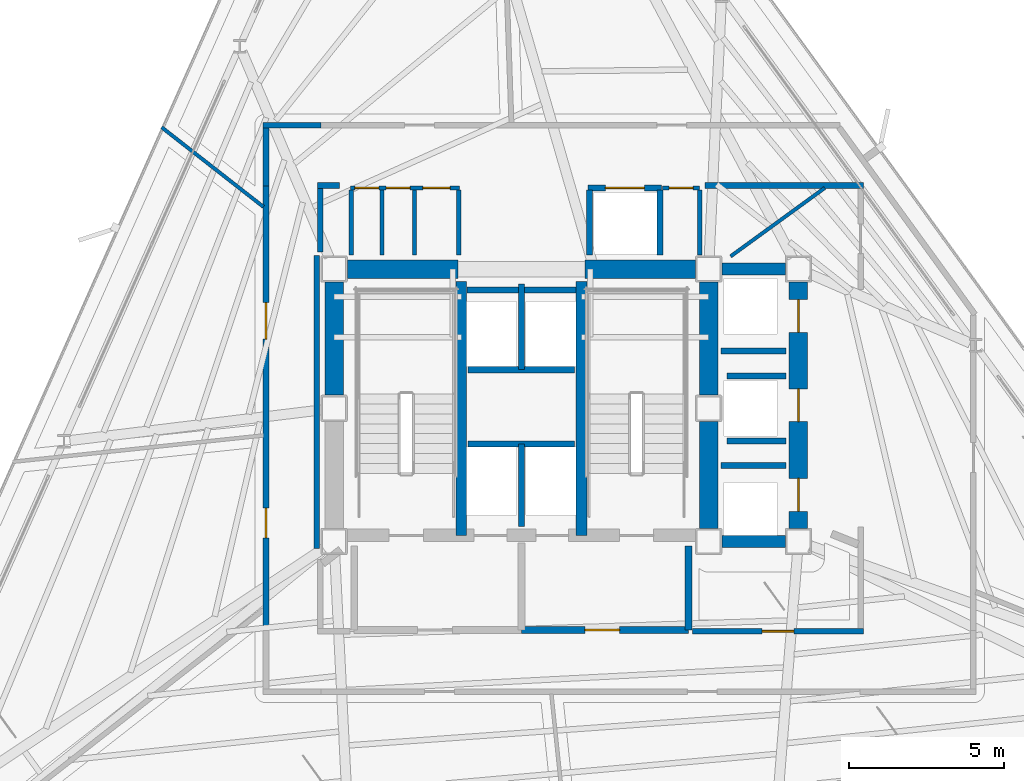
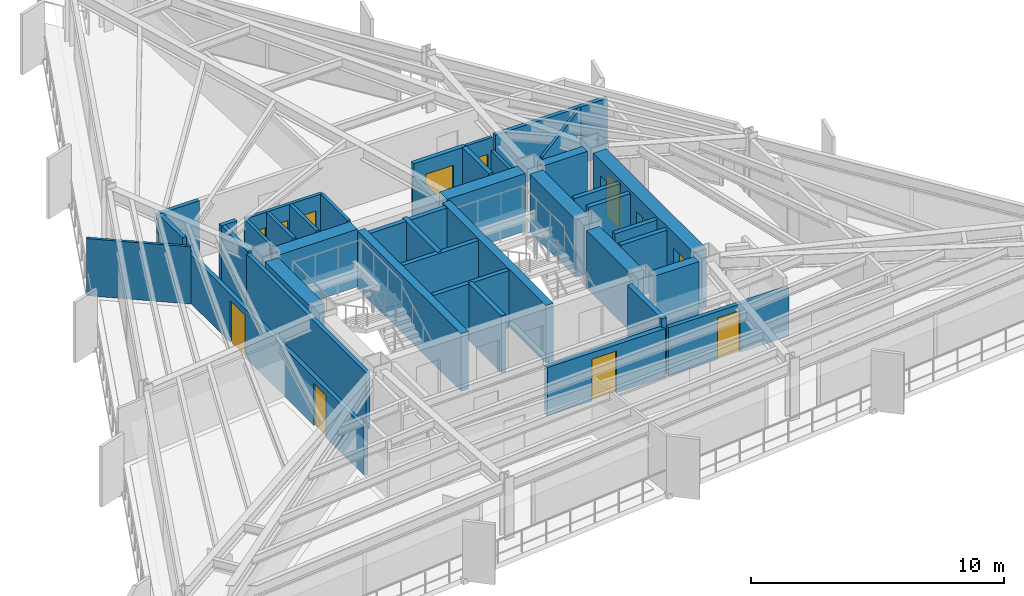
# One storey, part 8 of 12: 41 walls, 12 doors, 12 openings.
"""IFC4 building model written with IfcOpenShell, lengths in metres."""

from ifc_helpers import new_model, si_unit, direction, frame, frame_2d, origin, place, context, subcontext, project, spatial, rectangle, extrude, material, layer, layer_set, type_object, element, fill, save


model = new_model("IFC4")

# Units and contexts
model_context = context("Model", 3, precision=1e-05, world=origin(), true_north=direction((0.0, 1.0)))
body_context = subcontext(model_context, "Body", "Model", "MODEL_VIEW")
ifc_project = project(units=[si_unit("LENGTHUNIT", "METRE"), si_unit("AREAUNIT", "SQUARE_METRE"), si_unit("VOLUMEUNIT", "CUBIC_METRE"), si_unit("PLANEANGLEUNIT", "RADIAN"), si_unit("MASSUNIT", "GRAM", prefix="KILO")], contexts=[model_context])

# Site, building, storey
site_placement = place(None, origin())
site = spatial("IfcSite", under=ifc_project, at=site_placement, CompositionType="ELEMENT")
building_placement = place(site_placement, origin())
building = spatial("IfcBuilding", under=site, at=building_placement, Name="Rocaltana Carrier Exchange", CompositionType="ELEMENT")
storey_placement = place(building_placement, frame((0.0, 0.0, 107.679931640625)))
storey = spatial("IfcBuildingStorey", under=building, at=storey_placement, Name="L33", CompositionType="ELEMENT", Elevation=107.679931640625)

# Walls
ifc_material_1 = material(Name="Concrete C50/60", Category="concrete")
ifc_layer_1 = layer(ifc_material_1, 0.35009765625)
ifc_layer_set_1 = layer_set([ifc_layer_1], Name="Concrete C50/60")
wall_type_1 = type_object("IfcWallType", Name="Core Internal Shear Wall 350", PredefinedType="SHEAR", material=ifc_layer_set_1)
for number, where, z_axis, x_axis, name in (
    (1, (-1.93994140625, -4.10009765625, 0.0), (0.0, 0.0, 1.0), (0.0, 1.0, 0.0), "L33 Core Shear Wall CW-STW"),
    (2, (1.93994140625, -4.10009765625, 0.0), (0.0, 0.0, 1.0), (0.0, 1.0, 0.0), "L33 Core Shear Wall CW-STE"),
):
    element("IfcWall", number, at=place(storey_placement, frame(where, z_axis=z_axis, x_axis=x_axis)), inside=storey, type_object=wall_type_1, Name=name, PredefinedType="SHEAR", context=body_context, shape_type="SweptSolid", body=[
        extrude(rectangle(XDim=8.2001953125, YDim=0.35009765625, at=frame_2d((4.10009765625, 0.0))), origin(), (0.0, 0.0, 1.0), 2.7880859375),
    ])
ifc_material_2 = material(Name="Concrete C50/60", Category="concrete")
ifc_layer_2 = layer(ifc_material_2, 0.39990234375)
ifc_layer_set_2 = layer_set([ifc_layer_2], Name="Concrete C50/60")
wall_type_2 = type_object("IfcWallType", Name="Core Internal Shear Wall 400", PredefinedType="SHEAR", material=ifc_layer_set_2)
for number, where, z_axis, x_axis, name in (
    (3, (6.47509765625, 4.5, 0.0), (0.0, 0.0, 1.0), (1.0, 0.0, 0.0), "L33 Core Shear Wall CW-EWN"),
    (4, (6.47509765625, -4.300048828125, 0.0), (0.0, 0.0, 1.0), (1.0, 0.0, 0.0), "L33 Core Shear Wall CW-EWS"),
):
    element("IfcWall", number, at=place(storey_placement, frame(where, z_axis=z_axis, x_axis=x_axis)), inside=storey, type_object=wall_type_2, Name=name, PredefinedType="SHEAR", context=body_context, shape_type="SweptSolid", body=[
        extrude(rectangle(XDim=2.0498046875, YDim=0.39990234375, at=frame_2d((1.02490234375, 0.0))), origin(), (0.0, 0.0, 1.0), 2.7880859375),
    ])
ifc_material_3 = material(Name="Concrete C50/60", Category="concrete")
ifc_layer_3 = layer(ifc_material_3, 0.60009765625)
ifc_layer_set_3 = layer_set([ifc_layer_3], Name="Concrete C50/60")
wall_type_3 = type_object("IfcWallType", Name="Core Shear Wall 600", PredefinedType="SHEAR", material=ifc_layer_set_3)
for number, where, z_axis, x_axis, name in (
    (5, (-6.050048828125, 0.425048828125, 0.0), (0.0, 0.0, 1.0), (0.0, 1.0, 0.0), "L33 Core Shear Wall CW-WN"),
    (6, (6.050048828125, 0.425048828125, 0.0), (0.0, 0.0, 1.0), (0.0, 1.0, 0.0), "L33 Core Shear Wall CW-EN"),
):
    element("IfcWall", number, at=place(storey_placement, frame(where, z_axis=z_axis, x_axis=x_axis)), inside=storey, type_object=wall_type_3, Name=name, PredefinedType="SHEAR", context=body_context, shape_type="SweptSolid", body=[
        extrude(rectangle(XDim=3.64990234375, YDim=0.60009765625, at=frame_2d((1.824951171875, 0.0))), origin(), (0.0, 0.0, 1.0), 2.7880859375),
    ])
wall_1_placement = place(storey_placement, frame((6.050048828125, -3.875, 0.0), z_axis=(0.0, 0.0, 1.0), x_axis=(0.0, 1.0, 0.0)))
element("IfcWall", 7, at=wall_1_placement, inside=storey, type_object=wall_type_3, Name="L33 Core Shear Wall CW-ES", PredefinedType="SHEAR", context=body_context, shape_type="SweptSolid", body=[
    extrude(rectangle(XDim=3.449951171875, YDim=0.60009765625, at=frame_2d((1.72509765625, 0.0))), origin(), (0.0, 0.0, 1.0), 2.7880859375),
])
for number, where, z_axis, x_axis, name in (
    (8, (-5.625, 4.5, 0.0), (0.0, 0.0, 1.0), (1.0, 0.0, 0.0), "L33 Core Shear Wall CW-N1"),
    (9, (2.050048828125, 4.5, 0.0), (0.0, 0.0, 1.0), (1.0, 0.0, 0.0), "L33 Core Shear Wall CW-N2"),
):
    element("IfcWall", number, at=place(storey_placement, frame(where, z_axis=z_axis, x_axis=x_axis)), inside=storey, type_object=wall_type_3, Name=name, PredefinedType="SHEAR", context=body_context, shape_type="SweptSolid", body=[
        extrude(rectangle(XDim=3.574951171875, YDim=0.60009765625, at=frame_2d((1.78759765625, 0.0))), origin(), (0.0, 0.0, 1.0), 2.7880859375),
    ])

# Wall, openings, doors
wall_2_placement = place(storey_placement, frame((8.949951171875, -3.875, 0.0), z_axis=(0.0, 0.0, 1.0), x_axis=(0.0, 1.0, 0.0)))
wall_2 = element("IfcWall", 10, at=wall_2_placement, inside=storey, type_object=wall_type_3, Name="L33 Core Shear Wall CW-EW", PredefinedType="SHEAR", context=body_context, shape_type="SweptSolid", body=[
    extrude(rectangle(XDim=7.949951171875, YDim=0.60009765625, at=frame_2d((3.97509765625, 0.0))), origin(), (0.0, 0.0, 1.0), 2.7880859375),
])
opening_1_placement = place(wall_2_placement, frame((0.550048828125, 0.0, 0.0)))
opening_1 = element("IfcOpeningElement", 11, at=opening_1_placement, cuts=wall_2, Name="Opening LD-110", PredefinedType="OPENING", context=body_context, shape_type="SweptSolid", body=[
    extrude(rectangle(XDim=1.06005859375, YDim=2.0400390625, at=frame_2d((0.530029296875, 1.02001953125))), frame((0.0, 0.31005859375, 0.0), z_axis=(0.0, -1.0, 0.0), x_axis=(1.0, 0.0, 0.0)), (0.0, 0.0, 1.0), 0.6201171875),
])
opening_2_placement = place(wall_2_placement, frame((3.445068359375, 0.0, 0.0)))
opening_2 = element("IfcOpeningElement", 12, at=opening_2_placement, cuts=wall_2, Name="Opening LD-110", PredefinedType="OPENING", context=body_context, shape_type="SweptSolid", body=[
    extrude(rectangle(XDim=1.06005859375, YDim=2.0400390625, at=frame_2d((0.530029296875, 1.02001953125))), frame((0.0, 0.31005859375, 0.0), z_axis=(0.0, -1.0, 0.0), x_axis=(1.0, 0.0, 0.0)), (0.0, 0.0, 1.0), 0.6201171875),
])
opening_3_placement = place(wall_2_placement, frame((6.330078125, 0.0, 0.0)))
opening_3 = element("IfcOpeningElement", 13, at=opening_3_placement, cuts=wall_2, Name="Opening LD-110", PredefinedType="OPENING", context=body_context, shape_type="SweptSolid", body=[
    extrude(rectangle(XDim=1.06005859375, YDim=2.0400390625, at=frame_2d((0.530029296875, 1.02001953125))), frame((0.0, 0.31005859375, 0.0), z_axis=(0.0, -1.0, 0.0), x_axis=(1.0, 0.0, 0.0)), (0.0, 0.0, 1.0), 0.6201171875),
])
ifc_material_4 = material(Name="Brushed Stainless Sliding Door Leaf", Category="steel")
door_type_1 = type_object("IfcDoorType", Name="Lift Landing Sliding Door 1060x2040", OperationType="NOTDEFINED", PredefinedType="DOOR", material=ifc_material_4)
door_1_placement = place(opening_1_placement, origin())
door_1 = element("IfcDoor", 14, at=door_1_placement, inside=storey, type_object=door_type_1, Name="L33 Mid-Rise Lift PL-M1 Landing Door", OperationType="SLIDING_TO_LEFT", OverallHeight=2.0400390625, OverallWidth=1.06005859375, PredefinedType="DOOR", context=body_context, shape_type="SweptSolid", body=[
    extrude(rectangle(XDim=1.06005859375, YDim=2.0400390625, at=frame_2d((0.530029296875, 1.02001953125))), frame((0.0, 0.02490234375, 0.0), z_axis=(0.0, -1.0, 0.0), x_axis=(1.0, 0.0, 0.0)), (0.0, 0.0, 1.0), 0.050048828125),
])
fill(opening_1, door_1)
door_2_placement = place(opening_2_placement, origin())
door_2 = element("IfcDoor", 15, at=door_2_placement, inside=storey, type_object=door_type_1, Name="L33 Mid-Rise Lift PL-M2 Landing Door", OperationType="SLIDING_TO_RIGHT", OverallHeight=2.0400390625, OverallWidth=1.06005859375, PredefinedType="DOOR", context=body_context, shape_type="SweptSolid", body=[
    extrude(rectangle(XDim=1.06005859375, YDim=2.0400390625, at=frame_2d((0.530029296875, 1.02001953125))), frame((0.0, 0.02490234375, 0.0), z_axis=(0.0, -1.0, 0.0), x_axis=(1.0, 0.0, 0.0)), (0.0, 0.0, 1.0), 0.050048828125),
])
fill(opening_2, door_2)
door_3_placement = place(opening_3_placement, origin())
door_3 = element("IfcDoor", 16, at=door_3_placement, inside=storey, type_object=door_type_1, Name="L33 Mid-Rise Lift PL-M3 Landing Door", OperationType="SLIDING_TO_LEFT", OverallHeight=2.0400390625, OverallWidth=1.06005859375, PredefinedType="DOOR", context=body_context, shape_type="SweptSolid", body=[
    extrude(rectangle(XDim=1.06005859375, YDim=2.0400390625, at=frame_2d((0.530029296875, 1.02001953125))), frame((0.0, 0.02490234375, 0.0), z_axis=(0.0, -1.0, 0.0), x_axis=(1.0, 0.0, 0.0)), (0.0, 0.0, 1.0), 0.050048828125),
])
fill(opening_3, door_3)

ifc_material_5 = material(Name="Gypsum & Steel Stud Partition", Category="steel")
ifc_layer_4 = layer(ifc_material_5, 0.179931640625)
ifc_layer_set_4 = layer_set([ifc_layer_4], Name="Gypsum & Steel Stud Partition")
wall_type_4 = type_object("IfcWallType", Name="Corridor Fire Partition 180 EI60", PredefinedType="PARTITIONING", material=ifc_layer_set_4)
wall_3_placement = place(storey_placement, frame((-8.25, -7.219970703125, 0.0), z_axis=(0.0, 0.0, 1.0), x_axis=(0.0, 1.0, 0.0)))
wall_3 = element("IfcWall", 17, at=wall_3_placement, inside=storey, type_object=wall_type_4, Name="L33 Corridor Partition 3", PredefinedType="PARTITIONING", context=body_context, shape_type="SweptSolid", body=[
    extrude(rectangle(XDim=14.43994140625, YDim=0.179931640625, at=frame_2d((7.219970703125, 0.0))), origin(), (0.0, 0.0, 1.0), 2.330078125),
])
opening_4_placement = place(wall_3_placement, frame((3.0380859375, 0.0, 0.0)))
opening_4 = element("IfcOpeningElement", 18, at=opening_4_placement, cuts=wall_3, Name="Opening D-RM098", PredefinedType="OPENING", context=body_context, shape_type="SweptSolid", body=[
    extrude(rectangle(XDim=0.9599609375, YDim=2.02001953125, at=frame_2d((0.47998046875, 1.010009765625))), frame((0.0, 0.099853515625, 0.0), z_axis=(0.0, -1.0, 0.0), x_axis=(1.0, 0.0, 0.0)), (0.0, 0.0, 1.0), 0.199951171875),
])
opening_5_placement = place(wall_3_placement, frame((9.456298828125, 0.0, 0.0)))
opening_5 = element("IfcOpeningElement", 19, at=opening_5_placement, cuts=wall_3, Name="Opening D-SU120", PredefinedType="OPENING", context=body_context, shape_type="SweptSolid", body=[
    extrude(rectangle(XDim=1.179931640625, YDim=2.02001953125, at=frame_2d((0.58984375, 1.010009765625))), frame((0.0, 0.099853515625, 0.0), z_axis=(0.0, -1.0, 0.0), x_axis=(1.0, 0.0, 0.0)), (0.0, 0.0, 1.0), 0.199951171875),
])
ifc_material_6 = material(Name="Engineered Hardwood Timber", Category="wood")
door_type_2 = type_object("IfcDoorType", Name="Suite Double Entrance Door 1180x2020", OperationType="NOTDEFINED", PredefinedType="DOOR", material=ifc_material_6)
door_4_placement = place(opening_5_placement, origin())
door_4 = element("IfcDoor", 20, at=door_4_placement, inside=storey, type_object=door_type_2, Name="L33 Carrier Peering Suite Entrance Door", OperationType="SINGLE_SWING_LEFT", OverallHeight=2.02001953125, OverallWidth=1.179931640625, PredefinedType="DOOR", context=body_context, shape_type="SweptSolid", body=[
    extrude(rectangle(XDim=1.179931640625, YDim=2.02001953125, at=frame_2d((0.58984375, 1.010009765625))), frame((0.0, 0.02490234375, 0.0), z_axis=(0.0, -1.0, 0.0), x_axis=(1.0, 0.0, 0.0)), (0.0, 0.0, 1.0), 0.050048828125),
])
fill(opening_5, door_4)
ifc_material_7 = material(Name="Engineered Hardwood Timber", Category="wood")
door_type_3 = type_object("IfcDoorType", Name="Workspace Single Door 960x2020", OperationType="NOTDEFINED", PredefinedType="DOOR", material=ifc_material_7)
door_5_placement = place(opening_4_placement, origin())
door_5 = element("IfcDoor", 21, at=door_5_placement, inside=storey, type_object=door_type_3, Name="L33 Cloud Architecture Office Entrance Door", OperationType="SINGLE_SWING_LEFT", OverallHeight=2.02001953125, OverallWidth=0.9599609375, PredefinedType="DOOR", context=body_context, shape_type="SweptSolid", body=[
    extrude(rectangle(XDim=0.9599609375, YDim=2.02001953125, at=frame_2d((0.47998046875, 1.010009765625))), frame((0.0, 0.02490234375, 0.0), z_axis=(0.0, -1.0, 0.0), x_axis=(1.0, 0.0, 0.0)), (0.0, 0.0, 1.0), 0.050048828125),
])
fill(opening_4, door_5)

# Walls
wall_4_placement = place(storey_placement, frame((-8.25, 7.179931640625, 0.0), z_axis=(0.0, 0.0, 1.0), x_axis=(0.0, 1.0, 0.0)))
element("IfcWall", 22, at=wall_4_placement, inside=storey, type_object=wall_type_4, Name="L33 Corridor Partition 4", PredefinedType="PARTITIONING", context=body_context, shape_type="SweptSolid", body=[
    extrude(rectangle(XDim=1.880126953125, YDim=0.179931640625, at=frame_2d((0.93994140625, 0.0))), origin(), (0.0, 0.0, 1.0), 2.76318359375),
])
wall_5_placement = place(storey_placement, frame((-8.340087890625, 9.14990234375, 0.0), z_axis=(0.0, 0.0, 1.0), x_axis=(1.0, 0.0, 0.0)))
element("IfcWall", 23, at=wall_5_placement, inside=storey, type_object=wall_type_4, Name="L33 Corridor Partition 5", PredefinedType="PARTITIONING", context=body_context, shape_type="SweptSolid", body=[
    extrude(rectangle(XDim=1.860107421875, YDim=0.179931640625, at=frame_2d((0.93017578125, 0.0))), origin(), (0.0, 0.0, 1.0), 2.76318359375),
])

# Wall, opening, door
wall_6_placement = place(storey_placement, frame((5.530029296875, -7.199951171875, 0.0), z_axis=(0.0, 0.0, 1.0), x_axis=(1.0, 0.0, 0.0)))
wall_6 = element("IfcWall", 24, at=wall_6_placement, inside=storey, type_object=wall_type_4, Name="L33 Corridor Partition 12", PredefinedType="PARTITIONING", context=body_context, shape_type="SweptSolid", body=[
    extrude(rectangle(XDim=5.52001953125, YDim=0.179931640625, at=frame_2d((2.760009765625, 0.0))), origin(), (0.0, 0.0, 1.0), 2.330078125),
])
opening_6_placement = place(wall_6_placement, frame((2.25, 0.0, 0.0)))
opening_6 = element("IfcOpeningElement", 25, at=opening_6_placement, cuts=wall_6, Name="Opening D-LB104", PredefinedType="OPENING", context=body_context, shape_type="SweptSolid", body=[
    extrude(rectangle(XDim=1.02001953125, YDim=2.02001953125, at=frame_2d((0.510009765625, 1.010009765625))), frame((0.0, 0.099853515625, 0.0), z_axis=(0.0, -1.0, 0.0), x_axis=(1.0, 0.0, 0.0)), (0.0, 0.0, 1.0), 0.199951171875),
])
ifc_material_8 = material(Name="Powder-Coated Aluminium 6063-T6", Category="aluminium")
door_type_4 = type_object("IfcDoorType", Name="Laboratory Acoustic Door 1020x2020", OperationType="NOTDEFINED", PredefinedType="DOOR", material=ifc_material_8)
door_6_placement = place(opening_6_placement, origin())
door_6 = element("IfcDoor", 26, at=door_6_placement, inside=storey, type_object=door_type_4, Name="L33 Optical Switching Laboratory Entrance Door", OperationType="SINGLE_SWING_RIGHT", OverallHeight=2.02001953125, OverallWidth=1.02001953125, PredefinedType="DOOR", context=body_context, shape_type="SweptSolid", body=[
    extrude(rectangle(XDim=1.02001953125, YDim=2.02001953125, at=frame_2d((0.510009765625, 1.010009765625))), frame((0.0, 0.02490234375, 0.0), z_axis=(0.0, -1.0, 0.0), x_axis=(1.0, 0.0, 0.0)), (0.0, 0.0, 1.0), 0.050048828125),
])
fill(opening_6, door_6)

# Walls
wall_7_placement = place(storey_placement, frame((11.050048828125, 7.199951171875, 0.0), z_axis=(0.0, 0.0, 1.0), x_axis=(-1.0, 0.0, 0.0)))
element("IfcWall", 27, at=wall_7_placement, inside=storey, type_object=wall_type_4, Name="L33 Corridor Partition 15", PredefinedType="PARTITIONING", context=body_context, shape_type="SweptSolid", body=[
    extrude(rectangle(XDim=5.1201171875, YDim=0.179931640625, at=frame_2d((2.56005859375, 0.0))), origin(), (0.0, 0.0, 1.0), 2.76318359375),
])
wall_8_placement = place(storey_placement, frame((-5.8798828125, 7.199951171875, 0.0), z_axis=(0.0, 0.0, 1.0), x_axis=(-1.0, 0.0, 0.0)))
element("IfcWall", 28, at=wall_8_placement, inside=storey, type_object=wall_type_4, Name="L33 Corridor Partition 16", PredefinedType="PARTITIONING", context=body_context, shape_type="SweptSolid", body=[
    extrude(rectangle(XDim=0.710205078125, YDim=0.179931640625, at=frame_2d((0.35498046875, 0.0))), origin(), (0.0, 0.0, 1.0), 2.76318359375),
])
wall_9_placement = place(storey_placement, frame((-6.5, 7.110107421875, 0.0), z_axis=(0.0, 0.0, 1.0), x_axis=(0.0, -1.0, 0.0)))
element("IfcWall", 29, at=wall_9_placement, inside=storey, type_object=wall_type_4, Name="L33 Corridor Partition 17", PredefinedType="PARTITIONING", context=body_context, shape_type="SweptSolid", body=[
    extrude(rectangle(XDim=2.058349609375, YDim=0.179931640625, at=frame_2d((1.029296875, 0.0))), origin(), (0.0, 0.0, 1.0), 2.76318359375),
])
wall_10_placement = place(storey_placement, frame((-6.610107421875, 4.93994140625, 0.0), z_axis=(0.0, 0.0, 1.0), x_axis=(0.0, -1.0, 0.0)))
element("IfcWall", 30, at=wall_10_placement, inside=storey, type_object=wall_type_4, Name="L33 Corridor Partition 18", PredefinedType="PARTITIONING", context=body_context, shape_type="SweptSolid", body=[
    extrude(rectangle(XDim=9.4599609375, YDim=0.179931640625, at=frame_2d((4.72998046875, 0.0))), origin(), (0.0, 0.0, 1.0), 2.76318359375),
])
ifc_material_9 = material(Name="Aluminium 6063-T6 & Acoustic Glass", Category="aluminium")
ifc_layer_5 = layer(ifc_material_9, 0.114990234375)
ifc_layer_set_5 = layer_set([ifc_layer_5], Name="Aluminium 6063-T6 & Acoustic Glass")
wall_type_5 = type_object("IfcWallType", Name="Demountable Glazed Lab Partition 115", PredefinedType="MOVABLE", material=ifc_layer_set_5)
wall_11_placement = place(storey_placement, frame((6.758056640625, 4.909912109375, 0.0), z_axis=(0.0, 0.0, 1.0), x_axis=(0.808985911181, 0.58782803226, 0.0)))
element("IfcWall", 31, at=wall_11_placement, inside=storey, type_object=wall_type_5, Name="L33 Suite Divider Wall D7", PredefinedType="MOVABLE", context=body_context, shape_type="SweptSolid", body=[
    extrude(rectangle(XDim=3.760009765625, YDim=0.114990234375, at=frame_2d((1.8798828125, 0.0))), origin(), (0.0, 0.0, 1.0), 2.76318359375),
])
wall_12_placement = place(storey_placement, frame((-8.330078125, 6.508056640625, 0.0), z_axis=(0.0, 0.0, 1.0), x_axis=(-0.787993347372, 0.615683753641, 0.0)))
element("IfcWall", 32, at=wall_12_placement, inside=storey, type_object=wall_type_5, Name="L33 Suite Divider Wall D10", PredefinedType="MOVABLE", context=body_context, shape_type="SweptSolid", body=[
    extrude(rectangle(XDim=4.175537109375, YDim=0.114990234375, at=frame_2d((2.087890625, 0.0))), origin(), (0.0, 0.0, 1.0), 2.76318359375),
])
ifc_material_10 = material(Name="Autoclaved Aerated Concrete C30/37", Category="concrete")
ifc_layer_6 = layer(ifc_material_10, 0.219970703125)
ifc_layer_set_6 = layer_set([ifc_layer_6], Name="Autoclaved Aerated Concrete C30/37")
wall_type_6 = type_object("IfcWallType", Name="Firefighting Lobby Wall 220 EI120", PredefinedType="PARTITIONING", material=ifc_layer_set_6)
wall_13_placement = place(storey_placement, frame((5.39990234375, -7.159912109375, 0.0), z_axis=(0.0, 0.0, 1.0), x_axis=(0.0, 1.0, 0.0)))
element("IfcWall", 33, at=wall_13_placement, inside=storey, type_object=wall_type_6, Name="L33 FFL Lobby 2 East Wall", PredefinedType="PARTITIONING", context=body_context, shape_type="SweptSolid", body=[
    extrude(rectangle(XDim=2.7099609375, YDim=0.219970703125, at=frame_2d((1.35498046875, 0.0))), origin(), (0.0, 0.0, 1.0), 2.76318359375),
])

# Wall, opening, door
wall_14_placement = place(storey_placement, frame((0.0, -7.159912109375, 0.0), z_axis=(0.0, 0.0, 1.0), x_axis=(1.0, 0.0, 0.0)))
wall_14 = element("IfcWall", 34, at=wall_14_placement, inside=storey, type_object=wall_type_6, Name="L33 FFL Lobby 2 South Wall", PredefinedType="PARTITIONING", context=body_context, shape_type="SweptSolid", body=[
    extrude(rectangle(XDim=5.39990234375, YDim=0.219970703125, at=frame_2d((2.699951171875, 0.0))), origin(), (0.0, 0.0, 1.0), 2.330078125),
])
opening_7_placement = place(wall_14_placement, frame((2.050048828125, 0.0, 0.0)))
opening_7 = element("IfcOpeningElement", 35, at=opening_7_placement, cuts=wall_14, Name="Opening D-FF115", PredefinedType="OPENING", context=body_context, shape_type="SweptSolid", body=[
    extrude(rectangle(XDim=1.1201171875, YDim=2.02001953125, at=frame_2d((0.56005859375, 1.010009765625))), frame((0.0, 0.119873046875, 0.0), z_axis=(0.0, -1.0, 0.0), x_axis=(1.0, 0.0, 0.0)), (0.0, 0.0, 1.0), 0.239990234375),
])
ifc_material_11 = material(Name="Hollow Metal Fire Door Assembly", Category="steel")
door_type_5 = type_object("IfcDoorType", Name="Firefighting Lobby Door 1120x2020 FD60S", OperationType="NOTDEFINED", PredefinedType="DOOR", material=ifc_material_11)
door_7_placement = place(opening_7_placement, origin())
door_7 = element("IfcDoor", 36, at=door_7_placement, inside=storey, type_object=door_type_5, Name="L33 Firefighting Lift Lobby 2 Door", OperationType="SINGLE_SWING_RIGHT", OverallHeight=2.02001953125, OverallWidth=1.1201171875, PredefinedType="DOOR", context=body_context, shape_type="SweptSolid", body=[
    extrude(rectangle(XDim=1.1201171875, YDim=2.02001953125, at=frame_2d((0.56005859375, 1.010009765625))), frame((0.0, 0.02490234375, 0.0), z_axis=(0.0, -1.0, 0.0), x_axis=(1.0, 0.0, 0.0)), (0.0, 0.0, 1.0), 0.050048828125),
])
fill(opening_7, door_7)

# Walls
ifc_material_12 = material(Name="Reinforced Concrete Block C35/45", Category="concrete")
ifc_layer_7 = layer(ifc_material_12, 0.199951171875)
ifc_layer_set_7 = layer_set([ifc_layer_7], Name="Reinforced Concrete Block C35/45")
wall_type_7 = type_object("IfcWallType", Name="Lift Hoistway Enclosure Wall 200 EI120", PredefinedType="PARTITIONING", material=ifc_layer_set_7)
wall_15_placement = place(storey_placement, frame((0.0, -3.820068359375, 0.0), z_axis=(0.0, 0.0, 1.0), x_axis=(0.0, 1.0, 0.0)))
element("IfcWall", 37, at=wall_15_placement, inside=storey, type_object=wall_type_7, Name="L33 FFL Shaft Divider", PredefinedType="PARTITIONING", context=body_context, shape_type="SweptSolid", body=[
    extrude(rectangle(XDim=2.670166015625, YDim=0.199951171875, at=frame_2d((1.3349609375, 0.0))), origin(), (0.0, 0.0, 1.0), 2.76318359375),
])
wall_16_placement = place(storey_placement, frame((-1.719970703125, -1.14990234375, 0.0), z_axis=(0.0, 0.0, 1.0), x_axis=(1.0, 0.0, 0.0)))
element("IfcWall", 38, at=wall_16_placement, inside=storey, type_object=wall_type_7, Name="L33 FFL Shaft Back Wall", PredefinedType="PARTITIONING", context=body_context, shape_type="SweptSolid", body=[
    extrude(rectangle(XDim=3.43994140625, YDim=0.199951171875, at=frame_2d((1.719970703125, 0.0))), origin(), (0.0, 0.0, 1.0), 2.76318359375),
])
wall_17_placement = place(storey_placement, frame((0.0, 1.25, 0.0), z_axis=(0.0, 0.0, 1.0), x_axis=(0.0, 1.0, 0.0)))
element("IfcWall", 39, at=wall_17_placement, inside=storey, type_object=wall_type_7, Name="L33 High-Rise Shaft Divider", PredefinedType="PARTITIONING", context=body_context, shape_type="SweptSolid", body=[
    extrude(rectangle(XDim=2.77001953125, YDim=0.199951171875, at=frame_2d((1.385009765625, 0.0))), origin(), (0.0, 0.0, 1.0), 2.76318359375),
])
wall_18_placement = place(storey_placement, frame((-1.719970703125, 1.25, 0.0), z_axis=(0.0, 0.0, 1.0), x_axis=(1.0, 0.0, 0.0)))
element("IfcWall", 40, at=wall_18_placement, inside=storey, type_object=wall_type_7, Name="L33 High-Rise Shaft Back Wall", PredefinedType="PARTITIONING", context=body_context, shape_type="SweptSolid", body=[
    extrude(rectangle(XDim=3.43994140625, YDim=0.199951171875, at=frame_2d((1.719970703125, 0.0))), origin(), (0.0, 0.0, 1.0), 2.76318359375),
])
wall_19_placement = place(storey_placement, frame((-1.760009765625, 3.820068359375, 0.0), z_axis=(0.0, 0.0, 1.0), x_axis=(1.0, 0.0, 0.0)))
element("IfcWall", 41, at=wall_19_placement, inside=storey, type_object=wall_type_7, Name="L33 High-Rise Lift Front Wall", PredefinedType="PARTITIONING", context=body_context, shape_type="SweptSolid", body=[
    extrude(rectangle(XDim=3.52001953125, YDim=0.199951171875, at=frame_2d((1.760009765625, 0.0))), origin(), (0.0, 0.0, 1.0), 2.76318359375),
])
wall_20_placement = place(storey_placement, frame((2.199951171875, 4.949951171875, 0.0), z_axis=(0.0, 0.0, 1.0), x_axis=(0.0, 1.0, 0.0)))
element("IfcWall", 42, at=wall_20_placement, inside=storey, type_object=wall_type_7, Name="L33 Goods Lift West Wall", PredefinedType="PARTITIONING", context=body_context, shape_type="SweptSolid", body=[
    extrude(rectangle(XDim=2.10009765625, YDim=0.199951171875, at=frame_2d((1.050048828125, 0.0))), origin(), (0.0, 0.0, 1.0), 2.132080078125),
])
wall_21_placement = place(storey_placement, frame((4.47998046875, 4.949951171875, 0.0), z_axis=(0.0, 0.0, 1.0), x_axis=(0.0, 1.0, 0.0)))
element("IfcWall", 43, at=wall_21_placement, inside=storey, type_object=wall_type_7, Name="L33 Goods Lift East Wall", PredefinedType="PARTITIONING", context=body_context, shape_type="SweptSolid", body=[
    extrude(rectangle(XDim=2.10009765625, YDim=0.199951171875, at=frame_2d((1.050048828125, 0.0))), origin(), (0.0, 0.0, 1.0), 2.76318359375),
])

# Wall, opening, door
wall_22_placement = place(storey_placement, frame((2.14990234375, 7.1201171875, 0.0), z_axis=(0.0, 0.0, 1.0), x_axis=(1.0, 0.0, 0.0)))
wall_22 = element("IfcWall", 44, at=wall_22_placement, inside=storey, type_object=wall_type_7, Name="L33 Goods Lift Front Wall", PredefinedType="PARTITIONING", context=body_context, shape_type="SweptSolid", body=[
    extrude(rectangle(XDim=2.380126953125, YDim=0.199951171875, at=frame_2d((1.18994140625, 0.0))), origin(), (0.0, 0.0, 1.0), 2.76318359375),
])
opening_8_placement = place(wall_22_placement, frame((0.56005859375, 0.0, 0.0)))
opening_8 = element("IfcOpeningElement", 45, at=opening_8_placement, cuts=wall_22, Name="Opening LD-130", PredefinedType="OPENING", context=body_context, shape_type="SweptSolid", body=[
    extrude(rectangle(XDim=1.260009765625, YDim=2.06005859375, at=frame_2d((0.6298828125, 1.030029296875))), frame((0.0, 0.10986328125, 0.0), z_axis=(0.0, -1.0, 0.0), x_axis=(1.0, 0.0, 0.0)), (0.0, 0.0, 1.0), 0.219970703125),
])
ifc_material_13 = material(Name="Brushed Stainless Sliding Door Leaf", Category="steel")
door_type_6 = type_object("IfcDoorType", Name="Goods Lift Landing Sliding Door 1260x2060", OperationType="NOTDEFINED", PredefinedType="DOOR", material=ifc_material_13)
door_8_placement = place(opening_8_placement, origin())
door_8 = element("IfcDoor", 46, at=door_8_placement, inside=storey, type_object=door_type_6, Name="L33 Goods Lift GL-1 Landing Door", OperationType="SLIDING_TO_LEFT", OverallHeight=2.06005859375, OverallWidth=1.260009765625, PredefinedType="DOOR", context=body_context, shape_type="SweptSolid", body=[
    extrude(rectangle(XDim=1.260009765625, YDim=2.06005859375, at=frame_2d((0.6298828125, 1.030029296875))), frame((0.0, 0.02490234375, 0.0), z_axis=(0.0, -1.0, 0.0), x_axis=(1.0, 0.0, 0.0)), (0.0, 0.0, 1.0), 0.050048828125),
])
fill(opening_8, door_8)

# Walls
for number, where, z_axis, x_axis, name in (
    (47, (6.449951171875, -1.85009765625, 0.0), (0.0, 0.0, 1.0), (1.0, 0.0, 0.0), "L33 Mid-Rise Shaft Divider 1"),
    (48, (6.449951171875, 1.85009765625, 0.0), (0.0, 0.0, 1.0), (1.0, 0.0, 0.0), "L33 Mid-Rise Shaft Divider 2"),
):
    element("IfcWall", number, at=place(storey_placement, frame(where, z_axis=z_axis, x_axis=x_axis)), inside=storey, type_object=wall_type_7, Name=name, PredefinedType="PARTITIONING", context=body_context, shape_type="SweptSolid", body=[
        extrude(rectangle(XDim=2.10009765625, YDim=0.199951171875, at=frame_2d((1.050048828125, 0.0))), origin(), (0.0, 0.0, 1.0), 2.76318359375),
    ])
for number, where, z_axis, x_axis, name in (
    (49, (6.639892578125, -1.050048828125, 0.0), (0.0, 0.0, 1.0), (1.0, 0.0, 0.0), "L33 Mid-Rise Center Shaft Wall South"),
    (50, (6.639892578125, 1.050048828125, 0.0), (0.0, 0.0, 1.0), (1.0, 0.0, 0.0), "L33 Mid-Rise Center Shaft Wall North"),
):
    element("IfcWall", number, at=place(storey_placement, frame(where, z_axis=z_axis, x_axis=x_axis)), inside=storey, type_object=wall_type_7, Name=name, PredefinedType="PARTITIONING", context=body_context, shape_type="SweptSolid", body=[
        extrude(rectangle(XDim=1.91015625, YDim=0.199951171875, at=frame_2d((0.955078125, 0.0))), origin(), (0.0, 0.0, 1.0), 2.76318359375),
    ])
ifc_material_14 = material(Name="Moisture-Resistant Masonry C30/37", Category="masonry")
ifc_layer_8 = layer(ifc_material_14, 0.139892578125)
ifc_layer_set_8 = layer_set([ifc_layer_8], Name="Moisture-Resistant Masonry C30/37")
wall_type_8 = type_object("IfcWallType", Name="Wet-Area Sanitary Partition 140", PredefinedType="PARTITIONING", material=ifc_layer_set_8)
for number, where, z_axis, x_axis, name in (
    (51, (-5.5, 4.949951171875, 0.0), (0.0, 0.0, 1.0), (0.0, 1.0, 0.0), "L33 Sanitary West Wall"),
    (52, (-4.5, 4.949951171875, 0.0), (0.0, 0.0, 1.0), (0.0, 1.0, 0.0), "L33 Sanitary Divider 1"),
    (53, (-3.449951171875, 4.949951171875, 0.0), (0.0, 0.0, 1.0), (0.0, 1.0, 0.0), "L33 Sanitary Divider 2"),
    (54, (-2.02001953125, 4.949951171875, 0.0), (0.0, 0.0, 1.0), (0.0, 1.0, 0.0), "L33 Sanitary East Wall"),
):
    element("IfcWall", number, at=place(storey_placement, frame(where, z_axis=z_axis, x_axis=x_axis)), inside=storey, type_object=wall_type_8, Name=name, PredefinedType="PARTITIONING", context=body_context, shape_type="SweptSolid", body=[
        extrude(rectangle(XDim=2.10009765625, YDim=0.139892578125, at=frame_2d((1.050048828125, 0.0))), origin(), (0.0, 0.0, 1.0), 2.76318359375),
    ])

# Wall, openings, doors
wall_23_placement = place(storey_placement, frame((-5.52001953125, 7.1201171875, 0.0), z_axis=(0.0, 0.0, 1.0), x_axis=(1.0, 0.0, 0.0)))
wall_23 = element("IfcWall", 55, at=wall_23_placement, inside=storey, type_object=wall_type_8, Name="L33 Sanitary North Wall", PredefinedType="PARTITIONING", context=body_context, shape_type="SweptSolid", body=[
    extrude(rectangle(XDim=3.52001953125, YDim=0.139892578125, at=frame_2d((1.760009765625, 0.0))), origin(), (0.0, 0.0, 1.0), 2.76318359375),
])
opening_9_placement = place(wall_23_placement, frame((0.139892578125, 0.0, 0.0)))
opening_9 = element("IfcOpeningElement", 56, at=opening_9_placement, cuts=wall_23, Name="Opening D-RS082", PredefinedType="OPENING", context=body_context, shape_type="SweptSolid", body=[
    extrude(rectangle(XDim=0.780029296875, YDim=2.010009765625, at=frame_2d((0.39013671875, 1.0048828125))), frame((0.0, 0.079833984375, 0.0), z_axis=(0.0, -1.0, 0.0), x_axis=(1.0, 0.0, 0.0)), (0.0, 0.0, 1.0), 0.159912109375),
])
opening_10_placement = place(wall_23_placement, frame((1.14990234375, 0.0, 0.0)))
opening_10 = element("IfcOpeningElement", 57, at=opening_10_placement, cuts=wall_23, Name="Opening D-RS082", PredefinedType="OPENING", context=body_context, shape_type="SweptSolid", body=[
    extrude(rectangle(XDim=0.780029296875, YDim=2.010009765625, at=frame_2d((0.39013671875, 1.0048828125))), frame((0.0, 0.079833984375, 0.0), z_axis=(0.0, -1.0, 0.0), x_axis=(1.0, 0.0, 0.0)), (0.0, 0.0, 1.0), 0.159912109375),
])
opening_11_placement = place(wall_23_placement, frame((2.340087890625, 0.0, 0.0)))
opening_11 = element("IfcOpeningElement", 58, at=opening_11_placement, cuts=wall_23, Name="Opening D-WC090", PredefinedType="OPENING", context=body_context, shape_type="SweptSolid", body=[
    extrude(rectangle(XDim=0.8798828125, YDim=2.02001953125, at=frame_2d((0.43994140625, 1.010009765625))), frame((0.0, 0.079833984375, 0.0), z_axis=(0.0, -1.0, 0.0), x_axis=(1.0, 0.0, 0.0)), (0.0, 0.0, 1.0), 0.159912109375),
])
ifc_material_15 = material(Name="High-Pressure Laminate Timber", Category="wood")
door_type_7 = type_object("IfcDoorType", Name="Restroom & Accessible WC Door 880x2020", OperationType="NOTDEFINED", PredefinedType="DOOR", material=ifc_material_15)
door_9_placement = place(opening_11_placement, origin())
door_9 = element("IfcDoor", 59, at=door_9_placement, inside=storey, type_object=door_type_7, Name="L33 Accessible Toilet Door", OperationType="SINGLE_SWING_LEFT", OverallHeight=2.02001953125, OverallWidth=0.8798828125, PredefinedType="DOOR", context=body_context, shape_type="SweptSolid", body=[
    extrude(rectangle(XDim=0.8798828125, YDim=2.02001953125, at=frame_2d((0.43994140625, 1.010009765625))), frame((0.0, 0.02490234375, 0.0), z_axis=(0.0, -1.0, 0.0), x_axis=(1.0, 0.0, 0.0)), (0.0, 0.0, 1.0), 0.050048828125),
])
fill(opening_11, door_9)
ifc_material_16 = material(Name="Hollow Metal Access Door Leaf", Category="steel")
door_type_8 = type_object("IfcDoorType", Name="Riser & Service Closet Door 780x2010", OperationType="NOTDEFINED", PredefinedType="DOOR", material=ifc_material_16)
door_10_placement = place(opening_9_placement, origin())
door_10 = element("IfcDoor", 60, at=door_10_placement, inside=storey, type_object=door_type_8, Name="L33 Cleaner Store Door", OperationType="SINGLE_SWING_LEFT", OverallHeight=2.010009765625, OverallWidth=0.780029296875, PredefinedType="DOOR", context=body_context, shape_type="SweptSolid", body=[
    extrude(rectangle(XDim=0.780029296875, YDim=2.010009765625, at=frame_2d((0.39013671875, 1.0048828125))), frame((0.0, 0.02490234375, 0.0), z_axis=(0.0, -1.0, 0.0), x_axis=(1.0, 0.0, 0.0)), (0.0, 0.0, 1.0), 0.050048828125),
])
fill(opening_9, door_10)
door_11_placement = place(opening_10_placement, origin())
door_11 = element("IfcDoor", 61, at=door_11_placement, inside=storey, type_object=door_type_8, Name="L33 Staff Restroom Door", OperationType="SINGLE_SWING_RIGHT", OverallHeight=2.010009765625, OverallWidth=0.780029296875, PredefinedType="DOOR", context=body_context, shape_type="SweptSolid", body=[
    extrude(rectangle(XDim=0.780029296875, YDim=2.010009765625, at=frame_2d((0.39013671875, 1.0048828125))), frame((0.0, 0.02490234375, 0.0), z_axis=(0.0, -1.0, 0.0), x_axis=(1.0, 0.0, 0.0)), (0.0, 0.0, 1.0), 0.050048828125),
])
fill(opening_10, door_11)

# Wall
wall_24_placement = place(storey_placement, frame((5.760009765625, 4.949951171875, 0.0), z_axis=(0.0, 0.0, 1.0), x_axis=(0.0, 1.0, 0.0)))
element("IfcWall", 62, at=wall_24_placement, inside=storey, type_object=wall_type_8, Name="L33 Riser East Wall", PredefinedType="PARTITIONING", context=body_context, shape_type="SweptSolid", body=[
    extrude(rectangle(XDim=2.10009765625, YDim=0.139892578125, at=frame_2d((1.050048828125, 0.0))), origin(), (0.0, 0.0, 1.0), 2.132080078125),
])

# Wall, opening, door
wall_25_placement = place(storey_placement, frame((4.56005859375, 7.1201171875, 0.0), z_axis=(0.0, 0.0, 1.0), x_axis=(1.0, 0.0, 0.0)))
wall_25 = element("IfcWall", 63, at=wall_25_placement, inside=storey, type_object=wall_type_8, Name="L33 Riser North Wall", PredefinedType="PARTITIONING", context=body_context, shape_type="SweptSolid", body=[
    extrude(rectangle(XDim=1.199951171875, YDim=0.139892578125, at=frame_2d((0.60009765625, 0.0))), origin(), (0.0, 0.0, 1.0), 2.76318359375),
])
opening_12_placement = place(wall_25_placement, frame((0.2099609375, 0.0, 0.0)))
opening_12 = element("IfcOpeningElement", 64, at=opening_12_placement, cuts=wall_25, Name="Opening D-RS082", PredefinedType="OPENING", context=body_context, shape_type="SweptSolid", body=[
    extrude(rectangle(XDim=0.780029296875, YDim=2.010009765625, at=frame_2d((0.39013671875, 1.0048828125))), frame((0.0, 0.079833984375, 0.0), z_axis=(0.0, -1.0, 0.0), x_axis=(1.0, 0.0, 0.0)), (0.0, 0.0, 1.0), 0.159912109375),
])
door_12_placement = place(opening_12_placement, origin())
door_12 = element("IfcDoor", 65, at=door_12_placement, inside=storey, type_object=door_type_8, Name="L33 Signal Riser Closet Door", OperationType="SINGLE_SWING_RIGHT", OverallHeight=2.010009765625, OverallWidth=0.780029296875, PredefinedType="DOOR", context=body_context, shape_type="SweptSolid", body=[
    extrude(rectangle(XDim=0.780029296875, YDim=2.010009765625, at=frame_2d((0.39013671875, 1.0048828125))), frame((0.0, 0.02490234375, 0.0), z_axis=(0.0, -1.0, 0.0), x_axis=(1.0, 0.0, 0.0)), (0.0, 0.0, 1.0), 0.050048828125),
])
fill(opening_12, door_12)

save(model, "model.ifc")
